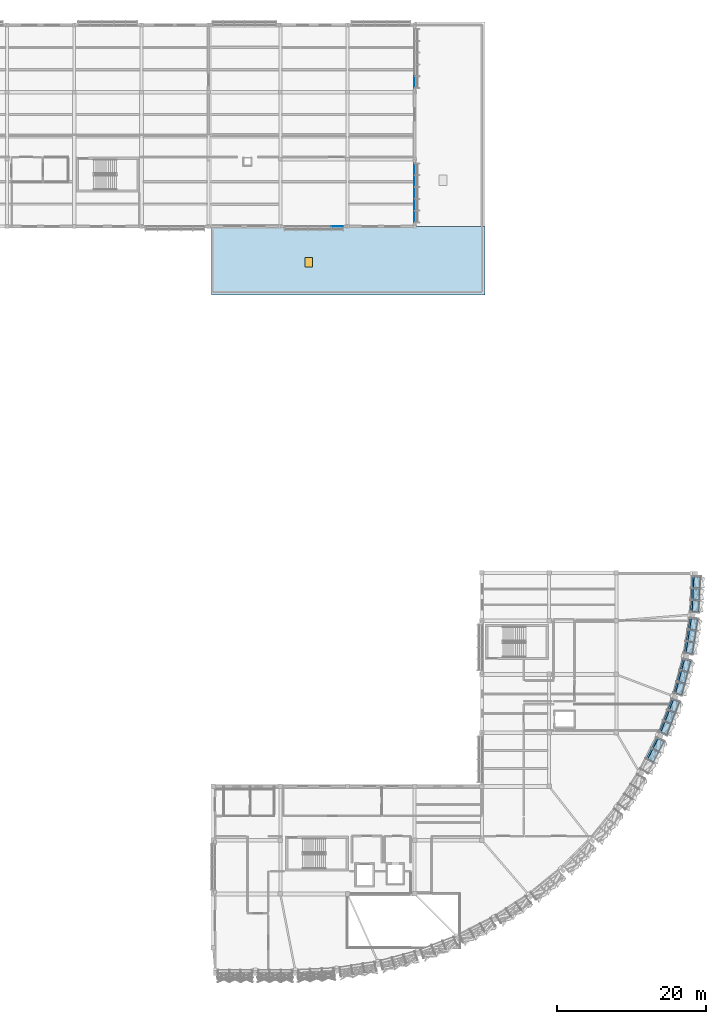
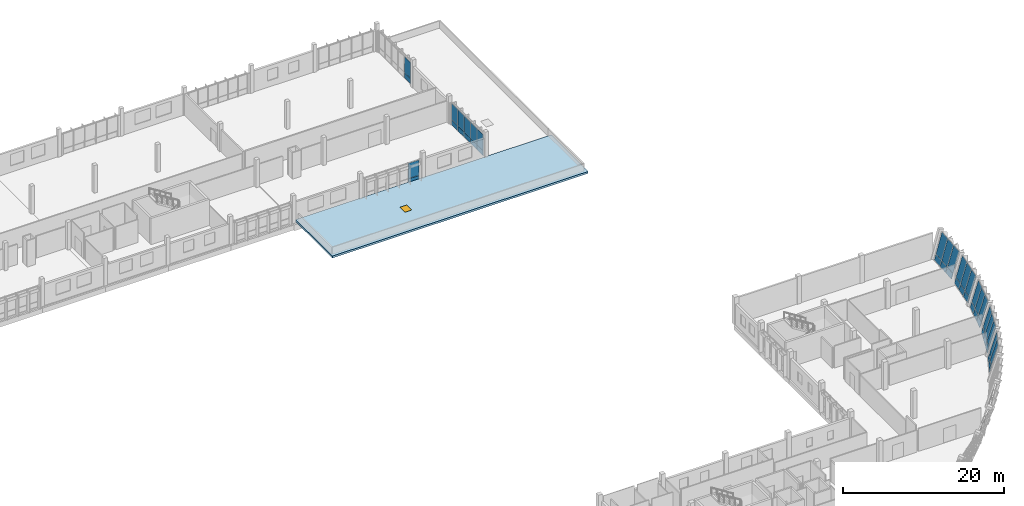
# One storey, part 84 of 107: 42 plates, 1 door, 1 slab, 1 opening, 8 elements without a shape of their own.
"""IFC4 building model written with IfcOpenShell, lengths in metres."""

from ifc_helpers import new_model, si_unit, direction, frame, origin, origin_2d, place, context, subcontext, project, spatial, polyline, rectangle, outline, extrude, material, layer, layer_set, type_object, element, fill, aggregate, save


model = new_model("IFC4")

# Units and contexts
model_context = context("Model", 3, precision=1e-05, world=origin(), true_north=direction((0.0, 1.0)))
body_context = subcontext(model_context, "Body", "Model", "MODEL_VIEW")
ifc_project = project(units=[si_unit("LENGTHUNIT", "METRE"), si_unit("AREAUNIT", "SQUARE_METRE"), si_unit("VOLUMEUNIT", "CUBIC_METRE"), si_unit("PLANEANGLEUNIT", "RADIAN"), si_unit("MASSUNIT", "GRAM", prefix="KILO")], contexts=[model_context])

# Site, building, storey
site_placement = place(None, origin())
site = spatial("IfcSite", under=ifc_project, at=site_placement, CompositionType="ELEMENT")
building_placement = place(site_placement, origin())
building = spatial("IfcBuilding", under=site, at=building_placement, Name="Chiffa Square Polytechnic", CompositionType="ELEMENT")
storey_placement = place(building_placement, frame((0.0, 0.0, 13.800048828125)))
storey = spatial("IfcBuildingStorey", under=building, at=storey_placement, Name="L03", CompositionType="ELEMENT", Elevation=13.800048828125)

# Curtain wall, plate
ifc_material_1 = material(Name="Aluminium EN AW-6060 T66 and glulam shading", Category="wood")
curtain_wall_type_1 = type_object("IfcCurtainWallType", Name="CW-VERT-480X380", PredefinedType="USERDEFINED", material=ifc_material_1)
curtain_wall_1_placement = place(storey_placement, origin())
curtain_wall_1 = element("IfcCurtainWall", 1, at=curtain_wall_1_placement, inside=storey, type_object=curtain_wall_type_1, Name="Curtain wall CW-V5-L03-230", ObjectType="CURTAIN WALL", PredefinedType="USERDEFINED")
ifc_material_2 = material(Name="Double glazing", Category="glass")
ifc_layer_1 = layer(ifc_material_2, 0.0439453125, Name="Double glazing")
ifc_layer_set_1 = layer_set([ifc_layer_1], Name="Double glazing")
plate_type_1 = type_object("IfcPlateType", Name="CWP-GLZ-134X118", PredefinedType="CURTAIN_PANEL", material=ifc_layer_set_1)
plate_1_placement = place(storey_placement, frame((139.199951171875, 123.14306640625, 0.84033203125), z_axis=(0.0, 0.0, 1.0), x_axis=(0.0, 1.0, 0.0)))
plate_1 = element("IfcPlate", 2, at=plate_1_placement, type_object=plate_type_1, Name="Glazed curtain panel CW-V5-L03-230-PN01", PredefinedType="CURTAIN_PANEL", context=body_context, shape_type="SweptSolid", body=[
    extrude(rectangle(XDim=1.510009765625, YDim=0.0439453125, at=origin_2d()), origin(), (0.0, 0.0, 1.0), 2.405029296875),
])

# Curtain wall, plates
curtain_wall_type_2 = type_object("IfcCurtainWallType", Name="CW-VERT-360X380", PredefinedType="USERDEFINED", material=ifc_material_1)
curtain_wall_2_placement = place(storey_placement, origin())
curtain_wall_2 = element("IfcCurtainWall", 3, at=curtain_wall_2_placement, inside=storey, type_object=curtain_wall_type_2, Name="Curtain wall CW-V5-L03-229", ObjectType="CURTAIN WALL", PredefinedType="USERDEFINED")
ifc_layer_2 = layer(ifc_material_2, 0.0419921875, Name="Double glazing")
ifc_layer_set_2 = layer_set([ifc_layer_2], Name="Double glazing")
plate_type_2 = type_object("IfcPlateType", Name="CWP-GLZ-136X122", PredefinedType="CURTAIN_PANEL", material=ifc_layer_set_2)
plate_2_placement = place(storey_placement, frame((139.199951171875, 105.14306640625, 0.84033203125), z_axis=(0.0, 0.0, 1.0), x_axis=(0.0, 1.0, 0.0)))
plate_2 = element("IfcPlate", 4, at=plate_2_placement, type_object=plate_type_2, Name="Glazed curtain panel CW-V5-L03-229-PN01", PredefinedType="CURTAIN_PANEL", context=body_context, shape_type="SweptSolid", body=[
    extrude(rectangle(XDim=1.510009765625, YDim=0.0419921875, at=origin_2d()), origin(), (0.0, 0.0, 1.0), 2.405029296875),
])
plate_3_placement = place(storey_placement, frame((139.199951171875, 106.716064453125, 0.84033203125), z_axis=(0.0, 0.0, 1.0), x_axis=(0.0, 1.0, 0.0)))
plate_3 = element("IfcPlate", 5, at=plate_3_placement, type_object=plate_type_2, Name="Glazed curtain panel CW-V5-L03-229-PN02", PredefinedType="CURTAIN_PANEL", context=body_context, shape_type="SweptSolid", body=[
    extrude(rectangle(XDim=1.531982421875, YDim=0.0419921875, at=origin_2d()), origin(), (0.0, 0.0, 1.0), 2.405029296875),
])
plate_4_placement = place(storey_placement, frame((139.199951171875, 108.300048828125, 0.84033203125), z_axis=(0.0, 0.0, 1.0), x_axis=(0.0, 1.0, 0.0)))
plate_4 = element("IfcPlate", 6, at=plate_4_placement, type_object=plate_type_2, Name="Glazed curtain panel CW-V5-L03-229-PN03", PredefinedType="CURTAIN_PANEL", context=body_context, shape_type="SweptSolid", body=[
    extrude(rectangle(XDim=1.531982421875, YDim=0.0419921875, at=origin_2d()), origin(), (0.0, 0.0, 1.0), 2.405029296875),
])
plate_5_placement = place(storey_placement, frame((139.199951171875, 109.884033203125, 0.84033203125), z_axis=(0.0, 0.0, 1.0), x_axis=(0.0, 1.0, 0.0)))
plate_5 = element("IfcPlate", 7, at=plate_5_placement, type_object=plate_type_2, Name="Glazed curtain panel CW-V5-L03-229-PN04", PredefinedType="CURTAIN_PANEL", context=body_context, shape_type="SweptSolid", body=[
    extrude(rectangle(XDim=1.531982421875, YDim=0.0419921875, at=origin_2d()), origin(), (0.0, 0.0, 1.0), 2.405029296875),
])
plate_6_placement = place(storey_placement, frame((139.199951171875, 111.45703125, 0.84033203125), z_axis=(0.0, 0.0, 1.0), x_axis=(0.0, 1.0, 0.0)))
plate_6 = element("IfcPlate", 8, at=plate_6_placement, type_object=plate_type_2, Name="Glazed curtain panel CW-V5-L03-229-PN05", PredefinedType="CURTAIN_PANEL", context=body_context, shape_type="SweptSolid", body=[
    extrude(rectangle(XDim=1.510009765625, YDim=0.0419921875, at=origin_2d()), origin(), (0.0, 0.0, 1.0), 2.405029296875),
])

curtain_wall_type_3 = type_object("IfcCurtainWallType", Name="CW-PROW-LEAN-150", PredefinedType="USERDEFINED", material=ifc_material_1)
curtain_wall_3_placement = place(storey_placement, origin())
curtain_wall_3 = element("IfcCurtainWall", 9, at=curtain_wall_3_placement, inside=storey, type_object=curtain_wall_type_3, Name="Outward-leaning diamond-fin prow curtain wall CW-V1-L03-060", ObjectType="CURTAIN WALL", PredefinedType="USERDEFINED")
ifc_layer_3 = layer(ifc_material_2, 0.0419921875, Name="Double glazing")
ifc_layer_set_3 = layer_set([ifc_layer_3], Name="Double glazing")
plate_type_3 = type_object("IfcPlateType", Name="CWP-GLZ-138X126", PredefinedType="CURTAIN_PANEL", material=ifc_layer_set_3)
plate_7_placement = place(storey_placement, frame((176.369140625, 52.249755859375, 0.8779296875), z_axis=(-0.960963743013, 0.05045158965, 0.272035515543), x_axis=(0.052434563152, 0.998624361897, 2.031922e-05)))
plate_7 = element("IfcPlate", 10, at=plate_7_placement, type_object=plate_type_3, Name="Leaning prow curtain panel CW-V1-L03-060-PN01", PredefinedType="CURTAIN_PANEL", context=body_context, shape_type="SweptSolid", body=[
    extrude(outline(polyline([(0.0, 0.0), (1.4646668553510256, 3.469446951953614e-18), (1.4486847089068733, -3.1561054764283605), (-0.043596093150724484, -3.1561679139938654), (0.0, 0.0)])), origin(), (0.0, 0.0, -1.0), 0.0419921875),
])
plate_8_placement = place(storey_placement, frame((176.451904296875, 53.82568359375, 0.8779296875), z_axis=(-0.960958725995, 0.050530777159, 0.272038540458), x_axis=(0.052510807482, 0.998620355839, -1.264555e-06)))
plate_8 = element("IfcPlate", 11, at=plate_8_placement, type_object=plate_type_3, Name="Leaning prow curtain panel CW-V1-L03-060-PN02", PredefinedType="CURTAIN_PANEL", context=body_context, shape_type="SweptSolid", body=[
    extrude(outline(polyline([(0.0, 0.0), (1.4646668594209509, 0.0), (1.4787623115813682, -3.156140813470708), (-0.013531297120514532, -3.1561369276854023), (0.0, 0.0)])), origin(), (0.0, 0.0, -1.0), 0.0419921875),
])
plate_9_placement = place(storey_placement, frame((176.53466796875, 55.40185546875, 0.8779296875), z_axis=(-0.960960971429, 0.050451444139, 0.272045332941), x_axis=(0.052435210513, 0.998624327857, 2.2611448e-05)))
plate_9 = element("IfcPlate", 12, at=plate_9_placement, type_object=plate_type_3, Name="Leaning prow curtain panel CW-V1-L03-060-PN03", PredefinedType="CURTAIN_PANEL", context=body_context, shape_type="SweptSolid", body=[
    extrude(outline(polyline([(0.0, 0.0), (1.464423050579353, -3.469446951953614e-18), (1.5085908155505774, -3.156109720849122), (0.016066208878430854, -3.156179202248674), (0.0, 0.0)])), origin(), (0.0, 0.0, -1.0), 0.0419921875),
])

# Curtain wall, plate
curtain_wall_type_4 = type_object("IfcCurtainWallType", Name="CW-VERT-600X380", PredefinedType="USERDEFINED", material=ifc_material_1)
curtain_wall_4_placement = place(storey_placement, origin())
curtain_wall_4 = element("IfcCurtainWall", 13, at=curtain_wall_4_placement, inside=storey, type_object=curtain_wall_type_4, Name="Curtain wall CW-V5-L03-228", ObjectType="CURTAIN WALL", PredefinedType="USERDEFINED")
plate_10_placement = place(storey_placement, frame((128.85693359375, 103.800048828125, 0.84033203125), z_axis=(0.0, 0.0, 1.0), x_axis=(1.0, 0.0, 0.0)))
plate_10 = element("IfcPlate", 14, at=plate_10_placement, type_object=plate_type_3, Name="Glazed curtain panel CW-V5-L03-228-PN05", PredefinedType="CURTAIN_PANEL", context=body_context, shape_type="SweptSolid", body=[
    extrude(rectangle(XDim=1.510009765625, YDim=0.0419921875, at=origin_2d()), origin(), (0.0, 0.0, 1.0), 2.304931640625),
])

# Curtain wall, plates
curtain_wall_type_5 = type_object("IfcCurtainWallType", Name="CW-PROW-LEAN-300", PredefinedType="USERDEFINED", material=ifc_material_1)
curtain_wall_5_placement = place(storey_placement, origin())
curtain_wall_5 = element("IfcCurtainWall", 15, at=curtain_wall_5_placement, inside=storey, type_object=curtain_wall_type_5, Name="Outward-leaning diamond-fin prow curtain wall CW-V1-L03-059", ObjectType="CURTAIN WALL", PredefinedType="USERDEFINED")
ifc_layer_4 = layer(ifc_material_2, 0.0400390625, Name="Double glazing")
ifc_layer_set_4 = layer_set([ifc_layer_4], Name="Double glazing")
plate_type_4 = type_object("IfcPlateType", Name="CWP-GLZ-140X130", PredefinedType="CURTAIN_PANEL", material=ifc_layer_set_4)
plate_11_placement = place(storey_placement, frame((175.544921875, 46.720703125, 0.8779296875), z_axis=(-0.950443480599, 0.150789602969, 0.271881749707), x_axis=(0.156685641555, 0.987648525133, -2.3107319e-05)))
plate_11 = element("IfcPlate", 16, at=plate_11_placement, type_object=plate_type_4, Name="Leaning prow curtain panel CW-V1-L03-059-PN01", PredefinedType="CURTAIN_PANEL", context=body_context, shape_type="SweptSolid", body=[
    extrude(outline(polyline([(0.0, 0.0), (1.4638628865369268, -6.938893903907228e-18), (1.4486571586654047, -3.15602833007595), (-0.04317968063751956, -3.155957358322216), (0.0, 0.0)])), origin(), (0.0, 0.0, -1.0), 0.0400390625),
])
plate_12_placement = place(storey_placement, frame((175.7919921875, 48.27880859375, 0.8779296875), z_axis=(-0.950424490224, 0.150786590111, 0.271949797989), x_axis=(0.156683730848, 0.987648828071, -2.9946684e-05)))
plate_12 = element("IfcPlate", 17, at=plate_12_placement, type_object=plate_type_4, Name="Leaning prow curtain panel CW-V1-L03-059-PN02", PredefinedType="CURTAIN_PANEL", context=body_context, shape_type="SweptSolid", body=[
    extrude(outline(polyline([(0.0, 0.0), (1.4641040117023896, 0.0), (1.4783348080460597, -3.1561026105981775), (-0.01326090551229526, -3.156010630598894), (0.0, 0.0)])), origin(), (0.0, 0.0, -1.0), 0.0400390625),
])
plate_13_placement = place(storey_placement, frame((176.0390625, 49.8369140625, 0.8779296875), z_axis=(-0.950408629375, 0.150784073758, 0.272006618137), x_axis=(0.156683727354, 0.987648828625, -2.9952441e-05)))
plate_13 = element("IfcPlate", 18, at=plate_13_placement, type_object=plate_type_4, Name="Leaning prow curtain panel CW-V1-L03-059-PN03", PredefinedType="CURTAIN_PANEL", context=body_context, shape_type="SweptSolid", body=[
    extrude(outline(polyline([(0.0, 0.0), (1.464104011702686, 0.0), (1.5082759942661728, -3.1561562218596357), (0.016680280708712455, -3.156064222642404), (0.0, 0.0)])), origin(), (0.0, 0.0, -1.0), 0.0400390625),
])

curtain_wall_6_placement = place(storey_placement, origin())
curtain_wall_6 = element("IfcCurtainWall", 19, at=curtain_wall_6_placement, inside=storey, type_object=curtain_wall_type_3, Name="Outward-leaning diamond-fin prow curtain wall CW-V1-L03-058", ObjectType="CURTAIN WALL", PredefinedType="USERDEFINED")
ifc_layer_5 = layer(ifc_material_2, 0.0400390625, Name="Double glazing")
ifc_layer_set_5 = layer_set([ifc_layer_5], Name="Double glazing")
plate_type_5 = type_object("IfcPlateType", Name="CWP-GLZ-144X134", PredefinedType="CURTAIN_PANEL", material=ifc_layer_set_5)
plate_14_placement = place(storey_placement, frame((174.147216796875, 41.30712890625, 0.8779296875), z_axis=(-0.929538124151, 0.249031670464, 0.271922972284), x_axis=(0.258782895634, 0.965935511785, 1.22497e-07)))
plate_14 = element("IfcPlate", 20, at=plate_14_placement, type_object=plate_type_5, Name="Leaning prow curtain panel CW-V1-L03-058-PN01", PredefinedType="CURTAIN_PANEL", context=body_context, shape_type="SweptSolid", body=[
    extrude(outline(polyline([(0.0, 0.0), (1.4641834652817936, 1.3877787807814457e-17), (1.4486818896630294, -3.156031558100838), (-0.04380925730551583, -3.1560319344660046), (0.0, 0.0)])), origin(), (0.0, 0.0, -1.0), 0.0400390625),
])
plate_15_placement = place(storey_placement, frame((174.5556640625, 42.831298828125, 0.8779296875), z_axis=(-0.929522666707, 0.249128285896, 0.271887309827), x_axis=(0.258884861892, 0.965908188201, 1.5800429e-05)))
plate_15 = element("IfcPlate", 21, at=plate_15_placement, type_object=plate_type_5, Name="Leaning prow curtain panel CW-V1-L03-058-PN02", PredefinedType="CURTAIN_PANEL", context=body_context, shape_type="SweptSolid", body=[
    extrude(outline(polyline([(0.0, 0.0), (1.4642466613198177, -2.7755575615628914e-17), (1.4789049035160016, -3.155974414405404), (-0.013350417443749305, -3.15602295704929), (0.0, 0.0)])), origin(), (0.0, 0.0, -1.0), 0.0400390625),
])
plate_16_placement = place(storey_placement, frame((174.964111328125, 44.355224609375, 0.8779296875), z_axis=(-0.929528469484, 0.249108544352, 0.271885559655), x_axis=(0.258862658602, 0.965914138979, 1.0098831e-05)))
plate_16 = element("IfcPlate", 22, at=plate_16_placement, type_object=plate_type_5, Name="Leaning prow curtain panel CW-V1-L03-058-PN03", PredefinedType="CURTAIN_PANEL", context=body_context, shape_type="SweptSolid", body=[
    extrude(outline(polyline([(0.0, 0.0), (1.4644824780403216, 0.0), (1.5091884928089843, -3.15598123691015), (0.016933169947581764, -3.156012265359734), (0.0, 0.0)])), origin(), (0.0, 0.0, -1.0), 0.0400390625),
])

curtain_wall_7_placement = place(storey_placement, origin())
curtain_wall_7 = element("IfcCurtainWall", 23, at=curtain_wall_7_placement, inside=storey, type_object=curtain_wall_type_5, Name="Outward-leaning diamond-fin prow curtain wall CW-V1-L03-057", ObjectType="CURTAIN WALL", PredefinedType="USERDEFINED")
ifc_layer_6 = layer(ifc_material_2, 0.0380859375, Name="Double glazing")
ifc_layer_set_6 = layer_set([ifc_layer_6], Name="Double glazing")
plate_type_6 = type_object("IfcPlateType", Name="CWP-GLZ-146X138", PredefinedType="CURTAIN_PANEL", material=ifc_layer_set_6)
plate_17_placement = place(storey_placement, frame((172.19140625, 36.069091796875, 0.8779296875), z_axis=(-0.898450420104, 0.344744992291, 0.271914936892), x_axis=(0.358241376249, 0.933629003566, -6.651521e-06)))
plate_17 = element("IfcPlate", 24, at=plate_17_placement, type_object=plate_type_6, Name="Leaning prow curtain panel CW-V1-L03-057-PN01", PredefinedType="CURTAIN_PANEL", context=body_context, shape_type="SweptSolid", body=[
    extrude(outline(polyline([(0.0, 0.0), (1.4646281168286819, 2.7755575615628914e-17), (1.4489956081791453, -3.1560343115431024), (-0.04337971831852268, -3.15601387287001), (0.0, 0.0)])), origin(), (0.0, 0.0, -1.0), 0.0380859375),
])
plate_18_placement = place(storey_placement, frame((172.7568359375, 37.54248046875, 0.8779296875), z_axis=(-0.89843230298, 0.344768529462, 0.271944954088), x_axis=(0.358266950156, 0.933619190151, -1.4393193e-05)))
plate_18 = element("IfcPlate", 25, at=plate_18_placement, type_object=plate_type_6, Name="Leaning prow curtain panel CW-V1-L03-057-PN02", PredefinedType="CURTAIN_PANEL", context=body_context, shape_type="SweptSolid", body=[
    extrude(outline(polyline([(0.0, 0.0), (1.4646281152154859, 2.7755575615628914e-17), (1.4786007572385995, -3.1560742301345854), (-0.013546635301662046, -3.1560300060123354), (0.0, 0.0)])), origin(), (0.0, 0.0, -1.0), 0.0380859375),
])
plate_19_placement = place(storey_placement, frame((173.322265625, 39.015869140625, 0.8779296875), z_axis=(-0.898441351012, 0.344741512384, 0.271949312244), x_axis=(0.358241375805, 0.933629003736, -6.652295e-06)))
plate_19 = element("IfcPlate", 26, at=plate_19_placement, type_object=plate_type_6, Name="Leaning prow curtain panel CW-V1-L03-057-PN03", PredefinedType="CURTAIN_PANEL", context=body_context, shape_type="SweptSolid", body=[
    extrude(outline(polyline([(0.0, 0.0), (1.4646281168286905, 0.0), (1.508661780695482, -3.156066582969586), (0.016286454197840895, -3.1560461417126464), (0.0, 0.0)])), origin(), (0.0, 0.0, -1.0), 0.0380859375),
])

curtain_wall_8_placement = place(storey_placement, origin())
curtain_wall_8 = element("IfcCurtainWall", 27, at=curtain_wall_8_placement, inside=storey, type_object=curtain_wall_type_3, Name="Outward-leaning diamond-fin prow curtain wall CW-V1-L03-056", ObjectType="CURTAIN WALL", PredefinedType="USERDEFINED")
ifc_layer_7 = layer(ifc_material_2, 0.0380859375, Name="Double glazing")
ifc_layer_set_7 = layer_set([ifc_layer_7], Name="Double glazing")
plate_type_7 = type_object("IfcPlateType", Name="CWP-GLZ-148X142", PredefinedType="CURTAIN_PANEL", material=ifc_layer_set_7)
plate_20_placement = place(storey_placement, frame((170.415283203125, 32.47119140625, 0.8779296875), z_axis=(-0.857425004742, 0.436897374983, 0.271924704608), x_axis=(0.454000018163, 0.89100167403, -1.9581758e-05)))
plate_20 = element("IfcPlate", 28, at=plate_20_placement, type_object=plate_type_7, Name="Leaning prow curtain panel CW-V1-L03-056-PN02", PredefinedType="CURTAIN_PANEL", context=body_context, shape_type="SweptSolid", body=[
    extrude(outline(polyline([(0.0, 0.0), (1.4639672836383886, -2.7755575615628914e-17), (1.4781850267054768, -3.156063427427763), (-0.014390698114537453, -3.1560032661526876), (0.0, 0.0)])), origin(), (0.0, 0.0, -1.0), 0.0380859375),
])
plate_21_placement = place(storey_placement, frame((171.131591796875, 33.876953125, 0.8779296875), z_axis=(-0.85743399699, 0.436901956946, 0.271888986211), x_axis=(0.454009806023, 0.890996686673, 1.9296886e-05)))
plate_21 = element("IfcPlate", 29, at=plate_21_placement, type_object=plate_type_7, Name="Leaning prow curtain panel CW-V1-L03-056-PN03", PredefinedType="CURTAIN_PANEL", context=body_context, shape_type="SweptSolid", body=[
    extrude(outline(polyline([(0.0, 0.0), (1.4640781246815038, -5.551115123125783e-17), (1.508665360477788, -3.155969997781498), (0.016200476683196713, -3.1560292832199437), (0.0, 0.0)])), origin(), (0.0, 0.0, -1.0), 0.0380859375),
])

# Plate
ifc_material_3 = material(Name="Aluminium insulated spandrel", Category="aluminium")
ifc_layer_8 = layer(ifc_material_3, 0.072021484375, Name="Aluminium insulated spandrel")
ifc_layer_set_8 = layer_set([ifc_layer_8], Name="Aluminium insulated spandrel")
plate_type_8 = type_object("IfcPlateType", Name="CWP-SPN-136X072", PredefinedType="SHEET", material=ifc_layer_set_8)
plate_22_placement = place(storey_placement, frame((139.199951171875, 105.14306640625, 0.050048828125), z_axis=(0.0, 0.0, 1.0), x_axis=(0.0, 1.0, 0.0)))
plate_22 = element("IfcPlate", 30, at=plate_22_placement, type_object=plate_type_8, Name="Spandrel panel CW-V5-L03-229-SP01", PredefinedType="SHEET", context=body_context, shape_type="SweptSolid", body=[
    extrude(rectangle(XDim=1.510009765625, YDim=0.072021484375, at=origin_2d()), origin(), (0.0, 0.0, 1.0), 0.75),
])

plate_23_placement = place(storey_placement, frame((139.199951171875, 106.716064453125, 0.050048828125), z_axis=(0.0, 0.0, 1.0), x_axis=(0.0, 1.0, 0.0)))
plate_23 = element("IfcPlate", 31, at=plate_23_placement, type_object=plate_type_8, Name="Spandrel panel CW-V5-L03-229-SP02", PredefinedType="SHEET", context=body_context, shape_type="SweptSolid", body=[
    extrude(rectangle(XDim=1.531982421875, YDim=0.072021484375, at=origin_2d()), origin(), (0.0, 0.0, 1.0), 0.75),
])

plate_24_placement = place(storey_placement, frame((139.199951171875, 108.300048828125, 0.050048828125), z_axis=(0.0, 0.0, 1.0), x_axis=(0.0, 1.0, 0.0)))
plate_24 = element("IfcPlate", 32, at=plate_24_placement, type_object=plate_type_8, Name="Spandrel panel CW-V5-L03-229-SP03", PredefinedType="SHEET", context=body_context, shape_type="SweptSolid", body=[
    extrude(rectangle(XDim=1.531982421875, YDim=0.072021484375, at=origin_2d()), origin(), (0.0, 0.0, 1.0), 0.75),
])

plate_25_placement = place(storey_placement, frame((139.199951171875, 109.884033203125, 0.050048828125), z_axis=(0.0, 0.0, 1.0), x_axis=(0.0, 1.0, 0.0)))
plate_25 = element("IfcPlate", 33, at=plate_25_placement, type_object=plate_type_8, Name="Spandrel panel CW-V5-L03-229-SP04", PredefinedType="SHEET", context=body_context, shape_type="SweptSolid", body=[
    extrude(rectangle(XDim=1.531982421875, YDim=0.072021484375, at=origin_2d()), origin(), (0.0, 0.0, 1.0), 0.75),
])

plate_26_placement = place(storey_placement, frame((139.199951171875, 111.45703125, 0.050048828125), z_axis=(0.0, 0.0, 1.0), x_axis=(0.0, 1.0, 0.0)))
plate_26 = element("IfcPlate", 34, at=plate_26_placement, type_object=plate_type_8, Name="Spandrel panel CW-V5-L03-229-SP05", PredefinedType="SHEET", context=body_context, shape_type="SweptSolid", body=[
    extrude(rectangle(XDim=1.510009765625, YDim=0.072021484375, at=origin_2d()), origin(), (0.0, 0.0, 1.0), 0.75),
])

aggregate(curtain_wall_2, [plate_22, plate_2, plate_23, plate_3, plate_24, plate_4, plate_25, plate_5, plate_26, plate_6])

ifc_layer_9 = layer(ifc_material_3, 0.070068359375, Name="Aluminium insulated spandrel")
ifc_layer_set_9 = layer_set([ifc_layer_9], Name="Aluminium insulated spandrel")
plate_type_9 = type_object("IfcPlateType", Name="CWP-SPN-138X074", PredefinedType="SHEET", material=ifc_layer_set_9)
plate_27_placement = place(storey_placement, frame((176.135986328125, 52.27392578125, 0.050048828125), z_axis=(-0.960927109094, 0.050426958269, 0.272169456199), x_axis=(0.052408197644, 0.99862574607, 1.0284147e-05)))
plate_27 = element("IfcPlate", 35, at=plate_27_placement, type_object=plate_type_9, Name="Leaning prow curtain panel CW-V1-L03-060-SP01", PredefinedType="SHEET", context=body_context, shape_type="SweptSolid", body=[
    extrude(outline(polyline([(0.0, 0.0), (1.4570833038183617, 6.938893903907228e-18), (1.4529008289707253, -0.8022429161894247), (-0.011021813003790083, -0.802274134767423), (0.0, 0.0)])), origin(), (0.0, 0.0, -1.0), 0.070068359375),
])

plate_28_placement = place(storey_placement, frame((176.218505859375, 53.841796875, 0.050048828125), z_axis=(-0.960978777116, 0.050433890789, 0.271985684535), x_axis=(0.052412893817, 0.99862549959, 1.1431558e-05)))
plate_28 = element("IfcPlate", 36, at=plate_28_placement, type_object=plate_type_9, Name="Leaning prow curtain panel CW-V1-L03-060-SP02", PredefinedType="SHEET", context=body_context, shape_type="SweptSolid", body=[
    extrude(outline(polyline([(0.0, 0.0), (1.4568394989796258, 3.469446951953614e-18), (1.4604734942869564, -0.8021977760217841), (-0.003449147364037085, -0.8022324729121145), (0.0, 0.0)])), origin(), (0.0, 0.0, -1.0), 0.070068359375),
])

plate_29_placement = place(storey_placement, frame((176.30078125, 55.40966796875, 0.050048828125), z_axis=(-0.960984854992, 0.050514647103, 0.271949221187), x_axis=(0.052490085948, 0.998621445178, -1.041466e-05)))
plate_29 = element("IfcPlate", 37, at=plate_29_placement, type_object=plate_type_9, Name="Leaning prow curtain panel CW-V1-L03-060-SP03", PredefinedType="SHEET", context=body_context, shape_type="SweptSolid", body=[
    extrude(outline(polyline([(0.0, 0.0), (1.4568394991980873, 0.0), (1.4680570466407794, -0.8022224228355868), (0.004121599668754502, -0.8021908126206225), (0.0, 0.0)])), origin(), (0.0, 0.0, -1.0), 0.070068359375),
])

aggregate(curtain_wall_3, [plate_27, plate_7, plate_28, plate_8, plate_29, plate_9])

plate_30_placement = place(storey_placement, frame((128.85693359375, 103.800048828125, 0.050048828125), z_axis=(0.0, 0.0, 1.0), x_axis=(1.0, 0.0, 0.0)))
plate_30 = element("IfcPlate", 38, at=plate_30_placement, type_object=plate_type_9, Name="Spandrel panel CW-V5-L03-228-SP05", PredefinedType="SHEET", context=body_context, shape_type="SweptSolid", body=[
    extrude(rectangle(XDim=1.510009765625, YDim=0.070068359375, at=origin_2d()), origin(), (0.0, 0.0, 1.0), 0.75),
])

aggregate(curtain_wall_4, [plate_30, plate_10])

ifc_layer_10 = layer(ifc_material_3, 0.068115234375, Name="Aluminium insulated spandrel")
ifc_layer_set_10 = layer_set([ifc_layer_10], Name="Aluminium insulated spandrel")
plate_type_10 = type_object("IfcPlateType", Name="CWP-SPN-140X076", PredefinedType="SHEET", material=ifc_layer_set_10)
plate_31_placement = place(storey_placement, frame((175.315673828125, 46.768798828125, 0.050048828125), z_axis=(-0.950463487743, 0.150687160364, 0.271868604604), x_axis=(0.156581643711, 0.987665018468, -1.2144934e-05)))
plate_31 = element("IfcPlate", 39, at=plate_31_placement, type_object=plate_type_10, Name="Leaning prow curtain panel CW-V1-L03-059-SP01", PredefinedType="SHEET", context=body_context, shape_type="SweptSolid", body=[
    extrude(outline(polyline([(0.0, 0.0), (1.4566790061175785, -6.938893903907228e-18), (1.4526940699123272, -0.802205879806399), (-0.01092769224423001, -0.8021690247791246), (0.0, 0.0)])), origin(), (0.0, 0.0, -1.0), 0.068115234375),
])

plate_32_placement = place(storey_placement, frame((175.561279296875, 48.319091796875, 0.050048828125), z_axis=(-0.950397443462, 0.150769898336, 0.272053555786), x_axis=(0.156683152618, 0.987648920172, 1.3013596e-05)))
plate_32 = element("IfcPlate", 40, at=plate_32_placement, type_object=plate_type_10, Name="Leaning prow curtain panel CW-V1-L03-059-SP02", PredefinedType="SHEET", context=body_context, shape_type="SweptSolid", body=[
    extrude(outline(polyline([(0.0, 0.0), (1.4564761194700937, 6.938893903907228e-18), (1.4601991722135426, -0.8022113727072504), (-0.0034225896626672117, -0.8022508631798204), (0.0, 0.0)])), origin(), (0.0, 0.0, -1.0), 0.068115234375),
])

plate_33_placement = place(storey_placement, frame((175.80712890625, 49.869140625, 0.050048828125), z_axis=(-0.950364424798, 0.15068420957, 0.272216327695), x_axis=(0.156595527637, 0.987662817285, -8.715111e-06)))
plate_33 = element("IfcPlate", 41, at=plate_33_placement, type_object=plate_type_10, Name="Leaning prow curtain panel CW-V1-L03-059-SP03", PredefinedType="SHEET", context=body_context, shape_type="SweptSolid", body=[
    extrude(outline(polyline([(0.0, 0.0), (1.4564378765279649, -1.3877787807814457e-17), (1.4678291736757785, -0.8022827929183876), (0.004207410590327921, -0.802256345515886), (0.0, 0.0)])), origin(), (0.0, 0.0, -1.0), 0.068115234375),
])

aggregate(curtain_wall_5, [plate_31, plate_11, plate_32, plate_12, plate_33, plate_13])

ifc_layer_11 = layer(ifc_material_3, 0.06591796875, Name="Aluminium insulated spandrel")
ifc_layer_set_11 = layer_set([ifc_layer_11], Name="Aluminium insulated spandrel")
plate_type_11 = type_object("IfcPlateType", Name="CWP-SPN-144X078", PredefinedType="SHEET", material=ifc_layer_set_11)
plate_34_placement = place(storey_placement, frame((173.924072265625, 41.379150390625, 0.050048828125), z_axis=(-0.929474349351, 0.249141601172, 0.272040247874), x_axis=(0.258908938782, 0.965901734808, 1.0706616e-05)))
plate_34 = element("IfcPlate", 42, at=plate_34_placement, type_object=plate_type_11, Name="Leaning prow curtain panel CW-V1-L03-058-SP01", PredefinedType="SHEET", context=body_context, shape_type="SweptSolid", body=[
    extrude(outline(polyline([(0.0, 0.0), (1.4566665058871677, 0.0), (1.4527258086789516, -0.802211820083149), (-0.0109860124294281, -0.8022443128898255), (0.0, 0.0)])), origin(), (0.0, 0.0, -1.0), 0.06591796875),
])

plate_35_placement = place(storey_placement, frame((174.33056640625, 42.8955078125, 0.050048828125), z_axis=(-0.929499023612, 0.249250235882, 0.271856368358), x_axis=(0.259003629578, 0.965876348113, -4.733367e-06)))
plate_35 = element("IfcPlate", 43, at=plate_35_placement, type_object=plate_type_11, Name="Leaning prow curtain panel CW-V1-L03-058-SP02", PredefinedType="SHEET", context=body_context, shape_type="SweptSolid", body=[
    extrude(outline(polyline([(0.0, 0.0), (1.4564306947074883, 0.0), (1.4603154331709243, -0.8021918475619884), (-0.0034596080043094424, -0.8021774842023713), (0.0, 0.0)])), origin(), (0.0, 0.0, -1.0), 0.06591796875),
])

plate_36_placement = place(storey_placement, frame((174.737060546875, 44.41162109375, 0.050048828125), z_axis=(-0.929497725802, 0.249228315262, 0.271880901499), x_axis=(0.25898116281, 0.965882372342, -1.0425675e-05)))
plate_36 = element("IfcPlate", 44, at=plate_36_placement, type_object=plate_type_11, Name="Leaning prow curtain panel CW-V1-L03-058-SP03", PredefinedType="SHEET", context=body_context, shape_type="SweptSolid", body=[
    extrude(outline(polyline([(0.0, 0.0), (1.456666505944342, 2.7755575615628914e-17), (1.4678861221179613, -0.8022063450695132), (0.004111082060324955, -0.8021747056677649), (0.0, 0.0)])), origin(), (0.0, 0.0, -1.0), 0.06591796875),
])

aggregate(curtain_wall_6, [plate_34, plate_14, plate_35, plate_15, plate_36, plate_16])

ifc_layer_12 = layer(ifc_material_3, 0.06396484375, Name="Aluminium insulated spandrel")
ifc_layer_set_12 = layer_set([ifc_layer_12], Name="Aluminium insulated spandrel")
plate_type_12 = type_object("IfcPlateType", Name="CWP-SPN-146X082", PredefinedType="SHEET", material=ifc_layer_set_12)
plate_37_placement = place(storey_placement, frame((171.977294921875, 36.1640625, 0.050048828125), z_axis=(-0.898455915903, 0.344743245798, 0.271898991642), x_axis=(0.358239511305, 0.933629719182, -4.83714e-07)))
plate_37 = element("IfcPlate", 45, at=plate_37_placement, type_object=plate_type_12, Name="Leaning prow curtain panel CW-V1-L03-057-SP01", PredefinedType="SHEET", context=body_context, shape_type="SweptSolid", body=[
    extrude(outline(polyline([(0.0, 0.0), (1.4570558765751411, 0.0), (1.4528862477203939, -0.8021954331373555), (-0.010970597558795182, -0.8021939649366602), (0.0, 0.0)])), origin(), (0.0, 0.0, -1.0), 0.06396484375),
])

plate_38_placement = place(storey_placement, frame((172.539794921875, 37.6298828125, 0.050048828125), z_axis=(-0.898467756107, 0.344778655446, 0.271814955411), x_axis=(0.358269544599, 0.933618194638, 7.387268e-06)))
plate_38 = element("IfcPlate", 46, at=plate_38_placement, type_object=plate_type_12, Name="Leaning prow curtain panel CW-V1-L03-057-SP02", PredefinedType="SHEET", context=body_context, shape_type="SweptSolid", body=[
    extrude(outline(polyline([(0.0, 0.0), (1.45682794157187, 2.7755575615628914e-17), (1.4604715789989486, -0.8021637027499428), (-0.003385265576144661, -0.802186122755582), (0.0, 0.0)])), origin(), (0.0, 0.0, -1.0), 0.06396484375),
])

plate_39_placement = place(storey_placement, frame((173.102294921875, 39.095703125, 0.050048828125), z_axis=(-0.898473612145, 0.344750035958, 0.271831898396), x_axis=(0.358243653025, 0.933628129844, 1.5221269e-05)))
plate_39 = element("IfcPlate", 47, at=plate_39_placement, type_object=plate_type_12, Name="Leaning prow curtain panel CW-V1-L03-057-SP03", PredefinedType="SHEET", context=body_context, shape_type="SweptSolid", body=[
    extrude(outline(polyline([(0.0, 0.0), (1.4568279398259802, 2.7755575615628914e-17), (1.468043819405208, -0.8021556831610716), (0.003959037741855444, -0.802201882818194), (0.0, 0.0)])), origin(), (0.0, 0.0, -1.0), 0.06396484375),
])

aggregate(curtain_wall_7, [plate_37, plate_17, plate_38, plate_18, plate_39, plate_19])

ifc_layer_13 = layer(ifc_material_3, 0.06201171875, Name="Aluminium insulated spandrel")
ifc_layer_set_13 = layer_set([ifc_layer_13], Name="Aluminium insulated spandrel")
plate_type_13 = type_object("IfcPlateType", Name="CWP-SPN-148X084", PredefinedType="SHEET", material=ifc_layer_set_13)
plate_40_placement = place(storey_placement, frame((170.20849609375, 32.580810546875, 0.050048828125), z_axis=(-0.857443837745, 0.436888433795, 0.271879682084), x_axis=(0.453988461222, 0.891007562849, -4.745299e-06)))
plate_40 = element("IfcPlate", 48, at=plate_40_placement, type_object=plate_type_13, Name="Leaning prow curtain panel CW-V1-L03-056-SP02", PredefinedType="SHEET", context=body_context, shape_type="SweptSolid", body=[
    extrude(outline(polyline([(0.0, 0.0), (1.456324694710338, 2.7755575615628914e-17), (1.460050955718427, -0.8021973546816488), (-0.003698798233620163, -0.8021829556621451), (0.0, 0.0)])), origin(), (0.0, 0.0, -1.0), 0.06201171875),
])

plate_41_placement = place(storey_placement, frame((170.9208984375, 33.979248046875, 0.050048828125), z_axis=(-0.857396707459, 0.436944873624, 0.271937609484), x_axis=(0.454059765354, 0.89097122808, 1.4845862e-05)))
plate_41 = element("IfcPlate", 49, at=plate_41_placement, type_object=plate_type_13, Name="Leaning prow curtain panel CW-V1-L03-056-SP03", PredefinedType="SHEET", context=body_context, shape_type="SweptSolid", body=[
    extrude(outline(polyline([(0.0, 0.0), (1.4564355423800903, 0.0), (1.4678369691104343, -0.8021811546619813), (0.0040872177196599885, -0.802226205058164), (0.0, 0.0)])), origin(), (0.0, 0.0, -1.0), 0.06201171875),
])

aggregate(curtain_wall_8, [plate_40, plate_20, plate_41, plate_21])

ifc_layer_14 = layer(ifc_material_3, 0.06005859375, Name="Aluminium insulated spandrel")
ifc_layer_set_14 = layer_set([ifc_layer_14], Name="Aluminium insulated spandrel")
plate_type_14 = type_object("IfcPlateType", Name="CWP-SPN-150X095", PredefinedType="SHEET", material=ifc_layer_set_14)
plate_42_placement = place(storey_placement, frame((139.199951171875, 123.14306640625, 0.050048828125), z_axis=(0.0, 0.0, 1.0), x_axis=(0.0, 1.0, 0.0)))
plate_42 = element("IfcPlate", 50, at=plate_42_placement, type_object=plate_type_14, Name="Spandrel panel CW-V5-L03-230-SP01", PredefinedType="SHEET", context=body_context, shape_type="SweptSolid", body=[
    extrude(rectangle(XDim=1.510009765625, YDim=0.06005859375, at=origin_2d()), origin(), (0.0, 0.0, 1.0), 0.75),
])

aggregate(curtain_wall_1, [plate_42, plate_1])

# Slab, opening, door
ifc_material_4 = material(Name="Concrete C35/45", Category="concrete")
ifc_layer_15 = layer(ifc_material_4, 0.300048828125, Name="Concrete C35/45")
ifc_layer_set_15 = layer_set([ifc_layer_15], Name="Concrete C35/45")
slab_type = type_object("IfcSlabType", Name="SLB-ROOF-300", PredefinedType="ROOF", material=ifc_layer_set_15)
slab_placement = place(storey_placement, origin())
slab = element("IfcSlab", 51, at=slab_placement, inside=storey, type_object=slab_type, Name="Lab wing south-east lower roof SLB-ROOF-V5-L03SE", PredefinedType="ROOF", context=body_context, shape_type="SweptSolid", body=[
    extrude(outline(polyline([(111.949951171875, 94.64990234375), (148.60009765625, 94.64990234375), (148.60009765625, 103.800048828125), (111.949951171875, 103.800048828125), (111.949951171875, 94.64990234375)]), holes=[polyline([(124.5, 98.375), (125.5, 98.375), (125.5, 99.625), (124.5, 99.625), (124.5, 98.375)])]), origin(), (0.0, 0.0, 1.0), 0.300048828125),
])
opening_placement = place(slab_placement, frame((125.0, 99.0, 0.0)))
opening = element("IfcOpeningElement", 52, at=opening_placement, cuts=slab, Name="Opening RH-04", PredefinedType="OPENING", context=body_context, shape_type="SweptSolid", body=[
    extrude(rectangle(XDim=1.0, YDim=1.25, at=origin_2d()), frame((0.0, 0.0, -0.010009765625), z_axis=(0.0, 0.0, 1.0), x_axis=(1.0, 0.0, 0.0)), (0.0, 0.0, 1.0), 0.320068359375),
])
ifc_material_5 = material(Name="Insulated aluminium roof hatch", Category="aluminium")
door_type = type_object("IfcDoorType", Name="DR-HATCH-1000X1250", OperationType="NOTDEFINED", PredefinedType="TRAPDOOR", material=ifc_material_5)
door_placement = place(opening_placement, frame((0.0, 0.0, 0.25)))
door = element("IfcDoor", 53, at=door_placement, inside=storey, type_object=door_type, Name="Maintenance roof hatch RH-04", OperationType="SINGLE_SWING_RIGHT", OverallHeight=1.25, OverallWidth=1.0, PredefinedType="TRAPDOOR", context=body_context, shape_type="SweptSolid", body=[
    extrude(rectangle(XDim=1.0, YDim=1.25, at=origin_2d()), origin(), (0.0, 0.0, 1.0), 0.050048828125),
])
fill(opening, door)

save(model, "model.ifc")
